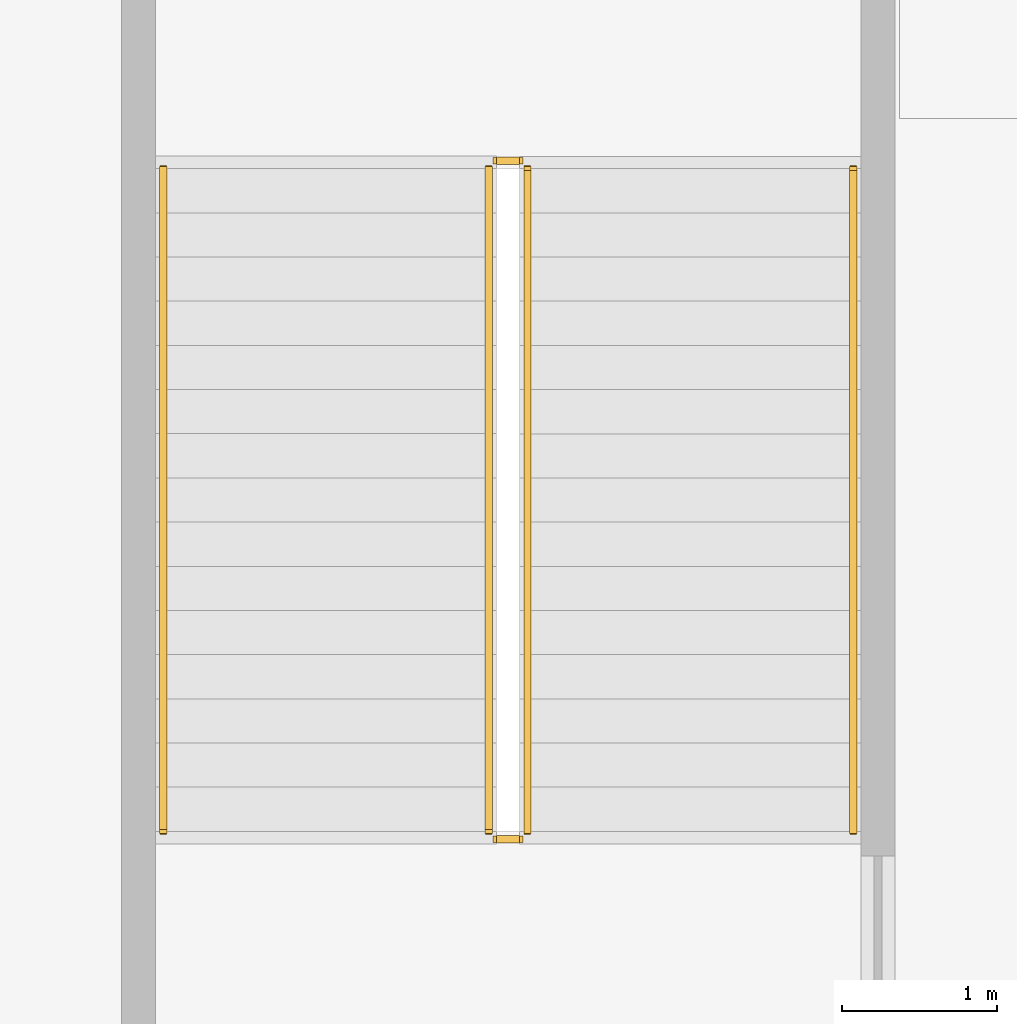
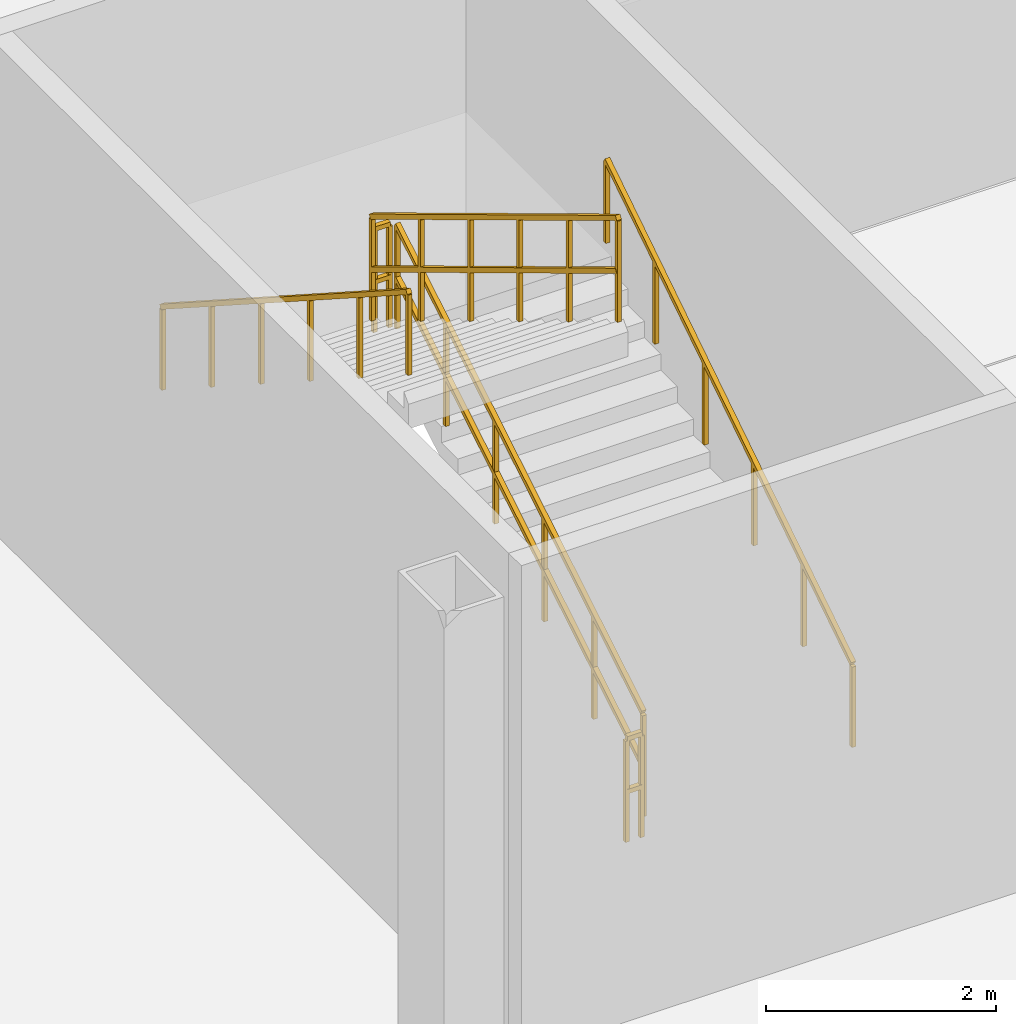
# One storey, part 16 of 23: 6 railings.
"""IFC4 building model written with IfcOpenShell, lengths in metres."""

from ifc_helpers import new_model, si_unit, direction, frame, origin, origin_2d, place, context, subcontext, project, spatial, rectangle, extrude, material, type_object, element, save


model = new_model("IFC4")

# Units and contexts
model_context = context("Model", 3, precision=1e-05, world=origin(), true_north=direction((0.0, 1.0)))
body_context = subcontext(model_context, "Body", "Model", "MODEL_VIEW")
ifc_project = project(units=[si_unit("LENGTHUNIT", "METRE"), si_unit("AREAUNIT", "SQUARE_METRE"), si_unit("VOLUMEUNIT", "CUBIC_METRE"), si_unit("PLANEANGLEUNIT", "RADIAN"), si_unit("MASSUNIT", "GRAM", prefix="KILO")], contexts=[model_context])

# Site, building, storey
site_placement = place(None, origin())
site = spatial("IfcSite", under=ifc_project, at=site_placement, CompositionType="ELEMENT")
building_placement = place(site_placement, origin())
building = spatial("IfcBuilding", under=site, at=building_placement, Name="Apsidion Concourse Tower", CompositionType="ELEMENT")
storey_placement = place(building_placement, frame((0.0, 0.0, 6.0)))
storey = spatial("IfcBuildingStorey", under=building, at=storey_placement, Name="L01", CompositionType="ELEMENT", Elevation=6.0)

# Railings
ifc_material = material(Name="Brushed stainless steel 316", Category="steel")
railing_type_1 = type_object("IfcRailingType", Name="RL-GUARD-1100", PredefinedType="GUARDRAIL", material=ifc_material)
railing_1_placement = place(storey_placement, frame((-31.800048828125, -22.60009765625, 0.171875)))
element("IfcRailing", 1, at=railing_1_placement, inside=storey, type_object=railing_type_1, Name="L01 ST-P1 stair guard 1", PredefinedType="GUARDRAIL", context=body_context, shape_type="SweptSolid", body=[
    extrude(rectangle(XDim=0.048095703125, YDim=0.048095703125, at=origin_2d()), frame((0.0, 0.0, 1.09619140625), z_axis=(0.0, 0.856338681044, 0.516414623484), x_axis=(-1.0, 0.0, 0.0)), (0.0, 0.0, 1.0), 4.992431640625),
    extrude(rectangle(XDim=0.048095703125, YDim=0.048095703125, at=origin_2d()), frame((0.0, 0.0, 0.5361328125), z_axis=(0.0, 0.856338681044, 0.516414623484), x_axis=(-1.0, 0.0, 0.0)), (0.0, 0.0, 1.0), 4.992431640625),
    extrude(rectangle(XDim=0.0419921875, YDim=0.0419921875, at=origin_2d()), origin(), (0.0, 0.0, 1.0), 1.072021484375),
    extrude(rectangle(XDim=0.0419921875, YDim=0.0419921875, at=origin_2d()), frame((0.0, 0.85498046875, 0.515625)), (0.0, 0.0, 1.0), 1.072021484375),
    extrude(rectangle(XDim=0.0419921875, YDim=0.0419921875, at=origin_2d()), frame((0.0, 1.7099609375, 1.03125)), (0.0, 0.0, 1.0), 1.072021484375),
    extrude(rectangle(XDim=0.0419921875, YDim=0.0419921875, at=origin_2d()), frame((0.0, 2.565185546875, 1.546875)), (0.0, 0.0, 1.0), 1.072021484375),
    extrude(rectangle(XDim=0.0419921875, YDim=0.0419921875, at=origin_2d()), frame((0.0, 3.420166015625, 2.0625)), (0.0, 0.0, 1.0), 1.072021484375),
    extrude(rectangle(XDim=0.0419921875, YDim=0.0419921875, at=origin_2d()), frame((0.0, 4.275146484375, 2.578125)), (0.0, 0.0, 1.0), 1.072021484375),
])
railing_2_placement = place(storey_placement, frame((-31.85009765625, -18.27490234375, 2.75)))
element("IfcRailing", 2, at=railing_2_placement, inside=storey, type_object=railing_type_1, Name="L01 ST-P1 stair guard 2", PredefinedType="GUARDRAIL", context=body_context, shape_type="SweptSolid", body=[
    extrude(rectangle(XDim=0.048095703125, YDim=0.048095703125, at=origin_2d()), frame((0.0, 0.0, 1.09619140625), z_axis=(-1.0, 0.0, 0.0), x_axis=(0.0, -1.0, 0.0)), (0.0, 0.0, 1.0), 0.14990234375),
    extrude(rectangle(XDim=0.048095703125, YDim=0.048095703125, at=origin_2d()), frame((0.0, 0.0, 0.5361328125), z_axis=(-1.0, 0.0, 0.0), x_axis=(0.0, -1.0, 0.0)), (0.0, 0.0, 1.0), 0.14990234375),
    extrude(rectangle(XDim=0.0419921875, YDim=0.0419921875, at=origin_2d()), origin(), (0.0, 0.0, 1.0), 1.072021484375),
    extrude(rectangle(XDim=0.0419921875, YDim=0.0419921875, at=origin_2d()), frame((-0.14990234375, 0.0, 0.0)), (0.0, 0.0, 1.0), 1.072021484375),
])
railing_3_placement = place(storey_placement, frame((-32.050048828125, -18.324951171875, 2.921875)))
element("IfcRailing", 3, at=railing_3_placement, inside=storey, type_object=railing_type_1, Name="L01 ST-P1 stair guard 3", PredefinedType="GUARDRAIL", context=body_context, shape_type="SweptSolid", body=[
    extrude(rectangle(XDim=0.048095703125, YDim=0.048095703125, at=origin_2d()), frame((0.0, 0.0, 1.09619140625), z_axis=(0.0, -0.856338681044, 0.516414623484), x_axis=(1.0, 0.0, 0.0)), (0.0, 0.0, 1.0), 4.992431640625),
    extrude(rectangle(XDim=0.048095703125, YDim=0.048095703125, at=origin_2d()), frame((0.0, 0.0, 0.5361328125), z_axis=(0.0, -0.856338681044, 0.516414623484), x_axis=(1.0, 0.0, 0.0)), (0.0, 0.0, 1.0), 4.992431640625),
    extrude(rectangle(XDim=0.0419921875, YDim=0.0419921875, at=origin_2d()), origin(), (0.0, 0.0, 1.0), 1.072021484375),
    extrude(rectangle(XDim=0.0419921875, YDim=0.0419921875, at=origin_2d()), frame((0.0, -0.85498046875, 0.515625)), (0.0, 0.0, 1.0), 1.072021484375),
    extrude(rectangle(XDim=0.0419921875, YDim=0.0419921875, at=origin_2d()), frame((0.0, -1.7099609375, 1.03125)), (0.0, 0.0, 1.0), 1.072021484375),
    extrude(rectangle(XDim=0.0419921875, YDim=0.0419921875, at=origin_2d()), frame((0.0, -2.565185546875, 1.546875)), (0.0, 0.0, 1.0), 1.072021484375),
    extrude(rectangle(XDim=0.0419921875, YDim=0.0419921875, at=origin_2d()), frame((0.0, -3.420166015625, 2.0625)), (0.0, 0.0, 1.0), 1.072021484375),
    extrude(rectangle(XDim=0.0419921875, YDim=0.0419921875, at=origin_2d()), frame((0.0, -4.275146484375, 2.578125)), (0.0, 0.0, 1.0), 1.072021484375),
])
railing_4_placement = place(storey_placement, frame((-31.85009765625, -22.64990234375, 0.0)))
element("IfcRailing", 4, at=railing_4_placement, inside=storey, type_object=railing_type_1, Name="L01 ST-P1 stair guard 4", PredefinedType="GUARDRAIL", context=body_context, shape_type="SweptSolid", body=[
    extrude(rectangle(XDim=0.048095703125, YDim=0.048095703125, at=origin_2d()), frame((0.0, 0.0, 1.09619140625), z_axis=(-1.0, 0.0, 0.0), x_axis=(0.0, -1.0, 0.0)), (0.0, 0.0, 1.0), 0.14990234375),
    extrude(rectangle(XDim=0.048095703125, YDim=0.048095703125, at=origin_2d()), frame((0.0, 0.0, 0.5361328125), z_axis=(-1.0, 0.0, 0.0), x_axis=(0.0, -1.0, 0.0)), (0.0, 0.0, 1.0), 0.14990234375),
    extrude(rectangle(XDim=0.0419921875, YDim=0.0419921875, at=origin_2d()), origin(), (0.0, 0.0, 1.0), 1.072021484375),
    extrude(rectangle(XDim=0.0419921875, YDim=0.0419921875, at=origin_2d()), frame((-0.14990234375, 0.0, 0.0)), (0.0, 0.0, 1.0), 1.072021484375),
])
railing_type_2 = type_object("IfcRailingType", Name="RL-HAND-900", PredefinedType="HANDRAIL", material=ifc_material)
railing_5_placement = place(storey_placement, frame((-29.699951171875, -22.60009765625, 0.171875)))
element("IfcRailing", 5, at=railing_5_placement, inside=storey, type_object=railing_type_2, Name="L01 ST-P1 stair handrail 1", PredefinedType="HANDRAIL", context=body_context, shape_type="SweptSolid", body=[
    extrude(rectangle(XDim=0.048095703125, YDim=0.048095703125, at=origin_2d()), frame((0.0, 0.0, 0.8759765625), z_axis=(0.0, 0.84102707462, 0.540993031153), x_axis=(-1.0, 0.0, 0.0)), (0.0, 0.0, 1.0), 5.083251953125),
    extrude(rectangle(XDim=0.0419921875, YDim=0.0419921875, at=origin_2d()), origin(), (0.0, 0.0, 1.0), 0.851806640625),
    extrude(rectangle(XDim=0.0419921875, YDim=0.0419921875, at=origin_2d()), frame((0.0, 0.85498046875, 0.550048828125)), (0.0, 0.0, 1.0), 0.851806640625),
    extrude(rectangle(XDim=0.0419921875, YDim=0.0419921875, at=origin_2d()), frame((0.0, 1.7099609375, 1.10009765625)), (0.0, 0.0, 1.0), 0.851806640625),
    extrude(rectangle(XDim=0.0419921875, YDim=0.0419921875, at=origin_2d()), frame((0.0, 2.565185546875, 1.64990234375)), (0.0, 0.0, 1.0), 0.851806640625),
    extrude(rectangle(XDim=0.0419921875, YDim=0.0419921875, at=origin_2d()), frame((0.0, 3.420166015625, 2.199951171875)), (0.0, 0.0, 1.0), 0.851806640625),
    extrude(rectangle(XDim=0.0419921875, YDim=0.0419921875, at=origin_2d()), frame((0.0, 4.275146484375, 2.75)), (0.0, 0.0, 1.0), 0.851806640625),
])
railing_6_placement = place(storey_placement, frame((-34.14990234375, -18.324951171875, 2.921875)))
element("IfcRailing", 6, at=railing_6_placement, inside=storey, type_object=railing_type_2, Name="L01 ST-P1 stair handrail 2", PredefinedType="HANDRAIL", context=body_context, shape_type="SweptSolid", body=[
    extrude(rectangle(XDim=0.048095703125, YDim=0.048095703125, at=origin_2d()), frame((0.0, 0.0, 0.8759765625), z_axis=(0.0, -0.84102707462, 0.540993031153), x_axis=(1.0, 0.0, 0.0)), (0.0, 0.0, 1.0), 5.083251953125),
    extrude(rectangle(XDim=0.0419921875, YDim=0.0419921875, at=origin_2d()), origin(), (0.0, 0.0, 1.0), 0.851806640625),
    extrude(rectangle(XDim=0.0419921875, YDim=0.0419921875, at=origin_2d()), frame((0.0, -0.85498046875, 0.550048828125)), (0.0, 0.0, 1.0), 0.851806640625),
    extrude(rectangle(XDim=0.0419921875, YDim=0.0419921875, at=origin_2d()), frame((0.0, -1.7099609375, 1.10009765625)), (0.0, 0.0, 1.0), 0.851806640625),
    extrude(rectangle(XDim=0.0419921875, YDim=0.0419921875, at=origin_2d()), frame((0.0, -2.565185546875, 1.64990234375)), (0.0, 0.0, 1.0), 0.851806640625),
    extrude(rectangle(XDim=0.0419921875, YDim=0.0419921875, at=origin_2d()), frame((0.0, -3.420166015625, 2.199951171875)), (0.0, 0.0, 1.0), 0.851806640625),
    extrude(rectangle(XDim=0.0419921875, YDim=0.0419921875, at=origin_2d()), frame((0.0, -4.275146484375, 2.75)), (0.0, 0.0, 1.0), 0.851806640625),
])

save(model, "model.ifc")
